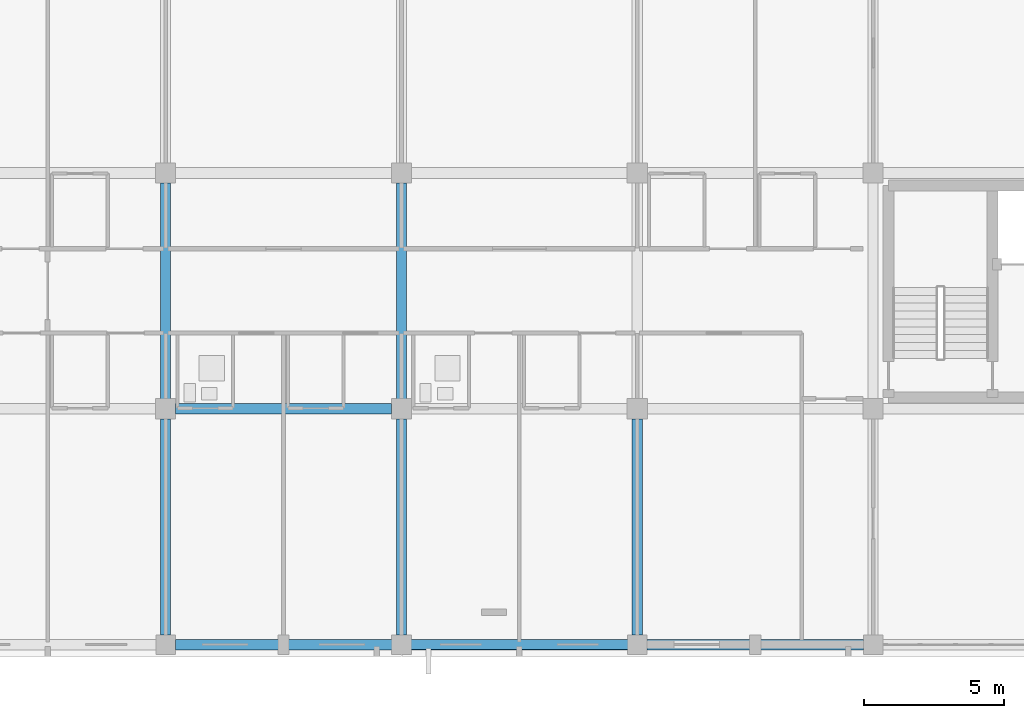
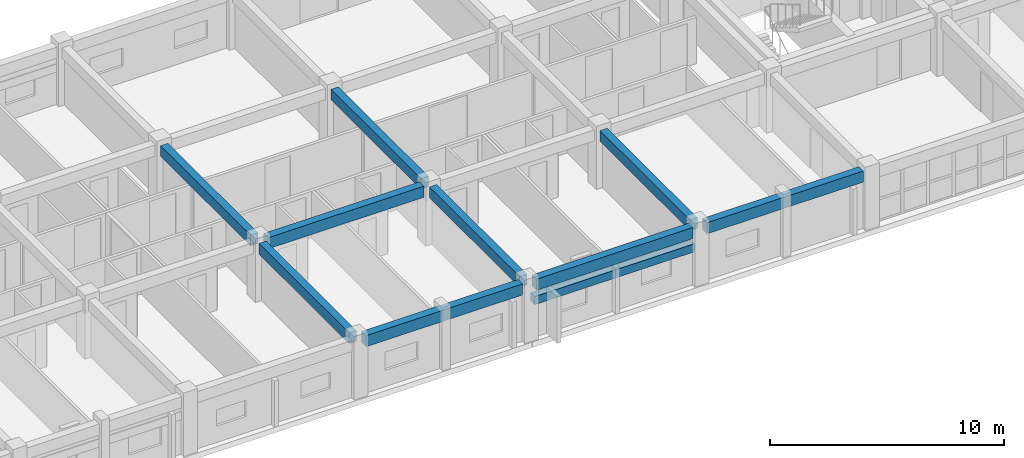
# One storey, part 23 of 148: 10 beams.
"""IFC4 building model written with IfcOpenShell, lengths in metres."""

from ifc_helpers import new_model, si_unit, direction, frame, origin, origin_2d, place, context, subcontext, project, spatial, rectangle, extrude, material, material_profile, profile_set, type_object, element, save


model = new_model("IFC4")

# Units and contexts
model_context = context("Model", 3, precision=1e-05, world=origin(), true_north=direction((0.0, 1.0)))
body_context = subcontext(model_context, "Body", "Model", "MODEL_VIEW")
ifc_project = project(units=[si_unit("LENGTHUNIT", "METRE"), si_unit("AREAUNIT", "SQUARE_METRE"), si_unit("VOLUMEUNIT", "CUBIC_METRE"), si_unit("PLANEANGLEUNIT", "RADIAN"), si_unit("MASSUNIT", "GRAM", prefix="KILO")], contexts=[model_context])

# Site, building, storey
site_placement = place(None, origin())
site = spatial("IfcSite", under=ifc_project, at=site_placement, CompositionType="ELEMENT")
building_placement = place(site_placement, origin())
building = spatial("IfcBuilding", under=site, at=building_placement, Name="Trelvath General Hospital", CompositionType="ELEMENT")
storey_placement = place(building_placement, frame((0.0, 0.0, 12.89990234375)))
storey = spatial("IfcBuildingStorey", under=building, at=storey_placement, Name="L03", CompositionType="ELEMENT", Elevation=12.89990234375)

# Beams
ifc_material_1 = material(Name="Concrete C35/45", Category="concrete")
ifc_material_profile_1 = material_profile(ifc_material_1, rectangle(XDim=0.360107421875, YDim=0.56005859375, at=origin_2d()), Name="RCB360x560")
ifc_profile_set_1 = profile_set([ifc_material_profile_1], Name="Concrete C35/45")
beam_type_1 = type_object("IfcBeamType", Name="Beam RC360x560", PredefinedType="BEAM", material=ifc_profile_set_1)
beam_1_placement = place(storey_placement, frame((67.199951171875, 0.344970703125, 2.739990234375), z_axis=(0.0, 1.0, 0.0), x_axis=(-1.0, 0.0, 0.0)))
element("IfcBeam", 1, at=beam_1_placement, inside=storey, type_object=beam_type_1, Name="Grid Beam BY-308A", PredefinedType="BEAM", context=body_context, shape_type="SweptSolid", body=[
    extrude(rectangle(XDim=0.360107421875, YDim=0.56005859375, at=origin_2d()), origin(), (0.0, 0.0, 1.0), 7.699951171875),
])
beam_2_placement = place(storey_placement, frame((67.199951171875, 8.7548828125, 2.739990234375), z_axis=(0.0, 1.0, 0.0), x_axis=(-1.0, 0.0, 0.0)))
element("IfcBeam", 2, at=beam_2_placement, inside=storey, type_object=beam_type_1, Name="Grid Beam BY-308B", PredefinedType="BEAM", context=body_context, shape_type="SweptSolid", body=[
    extrude(rectangle(XDim=0.360107421875, YDim=0.56005859375, at=origin_2d()), origin(), (0.0, 0.0, 1.0), 7.690185546875),
])
beam_3_placement = place(storey_placement, frame((75.60009765625, 0.344970703125, 2.739990234375), z_axis=(0.0, 1.0, 0.0), x_axis=(-1.0, 0.0, 0.0)))
element("IfcBeam", 3, at=beam_3_placement, inside=storey, type_object=beam_type_1, Name="Grid Beam BY-309A", PredefinedType="BEAM", context=body_context, shape_type="SweptSolid", body=[
    extrude(rectangle(XDim=0.360107421875, YDim=0.56005859375, at=origin_2d()), origin(), (0.0, 0.0, 1.0), 7.699951171875),
])
beam_4_placement = place(storey_placement, frame((75.60009765625, 8.7548828125, 2.739990234375), z_axis=(0.0, 1.0, 0.0), x_axis=(-1.0, 0.0, 0.0)))
element("IfcBeam", 4, at=beam_4_placement, inside=storey, type_object=beam_type_1, Name="Grid Beam BY-309B", PredefinedType="BEAM", context=body_context, shape_type="SweptSolid", body=[
    extrude(rectangle(XDim=0.360107421875, YDim=0.56005859375, at=origin_2d()), origin(), (0.0, 0.0, 1.0), 7.690185546875),
])
beam_5_placement = place(storey_placement, frame((84.0, 0.344970703125, 2.739990234375), z_axis=(0.0, 1.0, 0.0), x_axis=(-1.0, 0.0, 0.0)))
element("IfcBeam", 5, at=beam_5_placement, inside=storey, type_object=beam_type_1, Name="Grid Beam BY-310A", PredefinedType="BEAM", context=body_context, shape_type="SweptSolid", body=[
    extrude(rectangle(XDim=0.360107421875, YDim=0.56005859375, at=origin_2d()), origin(), (0.0, 0.0, 1.0), 7.699951171875),
])
ifc_material_2 = material(Name="Concrete C35/45", Category="concrete")
ifc_material_profile_2 = material_profile(ifc_material_2, rectangle(XDim=0.3798828125, YDim=0.580078125, at=origin_2d()), Name="RCB380x580")
ifc_profile_set_2 = profile_set([ifc_material_profile_2], Name="Concrete C35/45")
beam_type_2 = type_object("IfcBeamType", Name="Beam RC380x580", PredefinedType="BEAM", material=ifc_profile_set_2)
beam_6_placement = place(storey_placement, frame((67.544921875, 0.0, 2.72998046875), z_axis=(1.0, 0.0, 0.0), x_axis=(0.0, 1.0, 0.0)))
element("IfcBeam", 6, at=beam_6_placement, inside=storey, type_object=beam_type_2, Name="Grid Beam BX-308A", PredefinedType="BEAM", context=body_context, shape_type="SweptSolid", body=[
    extrude(rectangle(XDim=0.3798828125, YDim=0.580078125, at=origin_2d()), origin(), (0.0, 0.0, 1.0), 7.7099609375),
])
beam_7_placement = place(storey_placement, frame((67.554931640625, 8.39990234375, 2.72998046875), z_axis=(1.0, 0.0, 0.0), x_axis=(0.0, 1.0, 0.0)))
element("IfcBeam", 7, at=beam_7_placement, inside=storey, type_object=beam_type_2, Name="Grid Beam BX-308B", PredefinedType="BEAM", context=body_context, shape_type="SweptSolid", body=[
    extrude(rectangle(XDim=0.3798828125, YDim=0.580078125, at=origin_2d()), origin(), (0.0, 0.0, 1.0), 7.690185546875),
])
for number, where, z_axis, x_axis, name in (
    (8, (75.945068359375, 0.0, 2.72998046875), (1.0, 0.0, 0.0), (0.0, 1.0, 0.0), "Grid Beam BX-309A"),
    (9, (84.344970703125, 0.0, 2.72998046875), (1.0, 0.0, 0.0), (0.0, 1.0, 0.0), "Grid Beam BX-310A"),
):
    element("IfcBeam", number, at=place(storey_placement, frame(where, z_axis=z_axis, x_axis=x_axis)), inside=storey, type_object=beam_type_2, Name=name, PredefinedType="BEAM", context=body_context, shape_type="SweptSolid", body=[
        extrude(rectangle(XDim=0.3798828125, YDim=0.580078125, at=origin_2d()), origin(), (0.0, 0.0, 1.0), 7.7099609375),
    ])
ifc_material_3 = material(Name="Precast concrete C40/50", Category="concrete")
ifc_material_profile_3 = material_profile(ifc_material_3, rectangle(XDim=0.35009765625, YDim=0.419921875, at=origin_2d()), Name="PCL350x420")
ifc_profile_set_3 = profile_set([ifc_material_profile_3], Name="Precast concrete C40/50")
beam_type_3 = type_object("IfcBeamType", Name="Lintel PC350x420", PredefinedType="LINTEL", material=ifc_profile_set_3)
beam_8_placement = place(storey_placement, frame((83.735107421875, 0.0, 1.920166015625), z_axis=(-1.0, 0.0, 0.0), x_axis=(0.0, -1.0, 0.0)))
element("IfcBeam", 10, at=beam_8_placement, inside=storey, type_object=beam_type_3, Name="Precast Window Brow Lintel L03-380", PredefinedType="LINTEL", context=body_context, shape_type="SweptSolid", body=[
    extrude(rectangle(XDim=0.35009765625, YDim=0.419921875, at=origin_2d()), origin(), (0.0, 0.0, 1.0), 7.8701171875),
])

save(model, "model.ifc")
